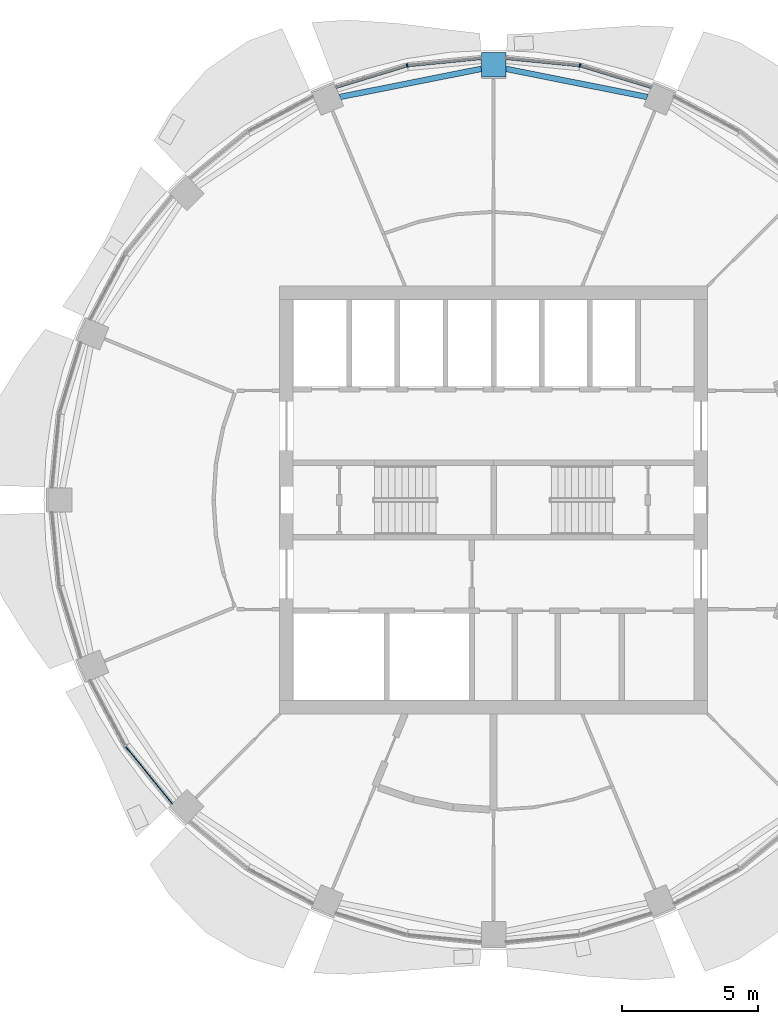
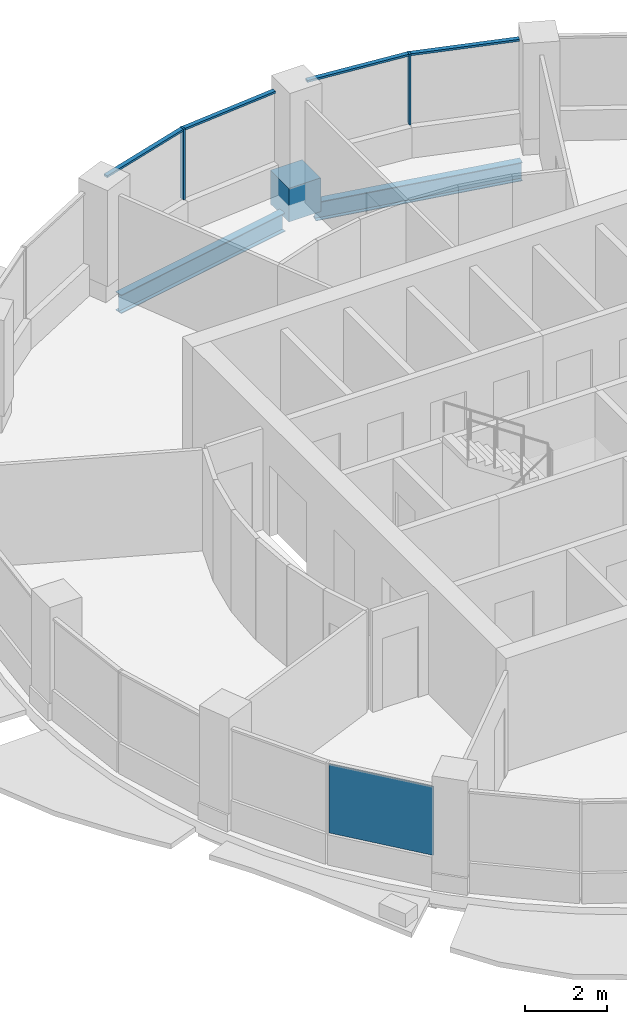
# One storey, part 6 of 15: 7 members, 2 beams, 1 plate, 3 elements without a shape of their own.
"""IFC4 building model written with IfcOpenShell, lengths in metres."""

from ifc_helpers import new_model, si_unit, direction, frame, origin, origin_2d, place, context, subcontext, project, spatial, rectangle, i_section, extrude, material, layer, layer_set, material_profile, profile_set, type_object, element, aggregate, save


model = new_model("IFC4")

# Units and contexts
model_context = context("Model", 3, precision=1e-05, world=origin(), true_north=direction((0.0, 1.0)))
body_context = subcontext(model_context, "Body", "Model", "MODEL_VIEW")
ifc_project = project(units=[si_unit("LENGTHUNIT", "METRE"), si_unit("AREAUNIT", "SQUARE_METRE"), si_unit("VOLUMEUNIT", "CUBIC_METRE"), si_unit("PLANEANGLEUNIT", "RADIAN"), si_unit("MASSUNIT", "GRAM", prefix="KILO")], contexts=[model_context])

# Site, building, storey
site_placement = place(None, origin())
site = spatial("IfcSite", under=ifc_project, at=site_placement, CompositionType="ELEMENT")
building_placement = place(site_placement, origin())
building = spatial("IfcBuilding", under=site, at=building_placement, Name="Polderwave Tower", CompositionType="ELEMENT")
storey_placement = place(building_placement, frame((0.0, 0.0, 207.75)))
storey = spatial("IfcBuildingStorey", under=building, at=storey_placement, Name="L56", CompositionType="ELEMENT", Elevation=207.75)

# Curtain wall, member
ifc_material_1 = material(Name="Aluminium 6063-T6 and glass", Category="aluminium")
curtain_wall_type = type_object("IfcCurtainWallType", Name="Office ribbon glazing wall", PredefinedType="NOTDEFINED", material=ifc_material_1)
curtain_wall_1_placement = place(storey_placement, origin())
curtain_wall_1 = element("IfcCurtainWall", 1, at=curtain_wall_1_placement, inside=storey, type_object=curtain_wall_type, Name="CW3 L56 03", PredefinedType="NOTDEFINED")
ifc_material_2 = material(Name="Aluminium 6063-T6", Category="aluminium")
ifc_material_profile_1 = material_profile(ifc_material_2, rectangle(XDim=0.139892578125, YDim=0.054931640625, at=origin_2d()), Name="AL 55x140")
ifc_profile_set_1 = profile_set([ifc_material_profile_1], Name="Aluminium 6063-T6")
member_type_1 = type_object("IfcMemberType", Name="Office ribbon glazing mullion 55x140", PredefinedType="MULLION", material=ifc_profile_set_1)
member_1_placement = place(storey_placement, frame((3.179931640625, 15.987060546875, 0.89990234375), z_axis=(0.0, 0.0, 1.0), x_axis=(-0.195234110551, -0.980756668128, 0.0)))
member_1 = element("IfcMember", 2, at=member_1_placement, type_object=member_type_1, Name="CW3 mullion 1", PredefinedType="MULLION", context=body_context, shape_type="SweptSolid", body=[
    extrude(rectangle(XDim=0.139892578125, YDim=0.054931640625, at=origin_2d()), origin(), (0.0, 0.0, 1.0), 2.10009765625),
])

curtain_wall_2_placement = place(storey_placement, origin())
curtain_wall_2 = element("IfcCurtainWall", 3, at=curtain_wall_2_placement, inside=storey, type_object=curtain_wall_type, Name="CW3 L56 04", PredefinedType="NOTDEFINED")
member_2_placement = place(storey_placement, frame((-3.179931640625, 15.987060546875, 0.89990234375), z_axis=(0.0, 0.0, 1.0), x_axis=(0.195234110551, -0.980756668128, 0.0)))
member_2 = element("IfcMember", 4, at=member_2_placement, type_object=member_type_1, Name="CW3 mullion 1", PredefinedType="MULLION", context=body_context, shape_type="SweptSolid", body=[
    extrude(rectangle(XDim=0.139892578125, YDim=0.054931640625, at=origin_2d()), origin(), (0.0, 0.0, 1.0), 2.10009765625),
])

# Member
ifc_material_profile_2 = material_profile(ifc_material_2, rectangle(XDim=0.1201171875, YDim=0.06005859375, at=origin_2d()), Name="AL 60x120")
ifc_profile_set_2 = profile_set([ifc_material_profile_2], Name="Aluminium 6063-T6")
member_type_2 = type_object("IfcMemberType", Name="Office ribbon glazing transom 60x120", PredefinedType="USERDEFINED", material=ifc_profile_set_2)
member_3_placement = place(storey_placement, frame((5.804931640625, 15.18994140625, 2.969970703125), z_axis=(-0.956860941533, 0.290546276121, 0.0), x_axis=(-0.290546276121, -0.956860941533, 0.0)))
member_3 = element("IfcMember", 5, at=member_3_placement, type_object=member_type_2, Name="CW3 transom 1", ObjectType="TRANSOM", PredefinedType="USERDEFINED", context=body_context, shape_type="SweptSolid", body=[
    extrude(rectangle(XDim=0.1201171875, YDim=0.06005859375, at=origin_2d()), origin(), (0.0, 0.0, 1.0), 2.7158203125),
])

member_4_placement = place(storey_placement, frame((3.152587890625, 15.98974609375, 2.969970703125), z_axis=(-0.995178584846, 0.09807947932, 0.0), x_axis=(-0.09807947932, -0.995178584846, 0.0)))
member_4 = element("IfcMember", 6, at=member_4_placement, type_object=member_type_2, Name="CW3 transom 2", ObjectType="TRANSOM", PredefinedType="USERDEFINED", context=body_context, shape_type="SweptSolid", body=[
    extrude(rectangle(XDim=0.1201171875, YDim=0.06005859375, at=origin_2d()), origin(), (0.0, 0.0, 1.0), 2.7158203125),
])

aggregate(curtain_wall_1, [member_1, member_3, member_4])

member_5_placement = place(storey_placement, frame((-0.449951171875, 16.256103515625, 2.969970703125), z_axis=(-0.995178584846, -0.09807947932, 0.0), x_axis=(0.09807947932, -0.995178584846, 0.0)))
member_5 = element("IfcMember", 7, at=member_5_placement, type_object=member_type_2, Name="CW3 transom 1", ObjectType="TRANSOM", PredefinedType="USERDEFINED", context=body_context, shape_type="SweptSolid", body=[
    extrude(rectangle(XDim=0.1201171875, YDim=0.06005859375, at=origin_2d()), origin(), (0.0, 0.0, 1.0), 2.7158203125),
])

member_6_placement = place(storey_placement, frame((-3.206298828125, 15.97900390625, 2.969970703125), z_axis=(-0.956860941533, -0.290546276121, 0.0), x_axis=(0.290546276121, -0.956860941533, 0.0)))
member_6 = element("IfcMember", 8, at=member_6_placement, type_object=member_type_2, Name="CW3 transom 2", ObjectType="TRANSOM", PredefinedType="USERDEFINED", context=body_context, shape_type="SweptSolid", body=[
    extrude(rectangle(XDim=0.1201171875, YDim=0.06005859375, at=origin_2d()), origin(), (0.0, 0.0, 1.0), 2.7158203125),
])

aggregate(curtain_wall_2, [member_2, member_5, member_6])

ifc_material_3 = material(Name="Concrete C60/75", Category="concrete")
ifc_material_profile_3 = material_profile(ifc_material_3, rectangle(XDim=0.89990234375, YDim=0.89990234375, at=origin_2d()), Name="RC 900x900")
ifc_profile_set_3 = profile_set([ifc_material_profile_3], Name="Concrete C60/75")
member_type_3 = type_object("IfcMemberType", Name="RC NODE 900x900 C60/75", PredefinedType="POST", material=ifc_profile_set_3)
member_7_placement = place(storey_placement, frame((0.0, 16.005859375, -0.5), z_axis=(0.0, 0.0, 1.0), x_axis=(0.0, 1.0, 0.0)))
element("IfcMember", 9, at=member_7_placement, inside=storey, type_object=member_type_3, Name="Ring column node 05", PredefinedType="POST", context=body_context, shape_type="SweptSolid", body=[
    extrude(rectangle(XDim=0.89990234375, YDim=0.89990234375, at=origin_2d()), origin(), (0.0, 0.0, 1.0), 1.0),
])

# Beams
ifc_material_4 = material(Name="Steel S355", Category="steel")
ifc_material_profile_4 = material_profile(ifc_material_4, i_section(OverallWidth=0.2099609375, OverallDepth=0.550048828125, WebThickness=0.010986328125, FlangeThickness=0.01708984375, at=origin_2d()), Name="IPE 550")
ifc_profile_set_4 = profile_set([ifc_material_profile_4], Name="Steel S355")
beam_type = type_object("IfcBeamType", Name="RING BEAM IPE 550", PredefinedType="BEAM", material=ifc_profile_set_4)
for number, where, z_axis, x_axis, name in (
    (10, (5.65380859375, 14.825439453125, -0.625), (-0.980783670147, 0.195098417144, 0.0), (-0.195098417144, -0.980783670147, 0.0), "ST-RB-L56-03"),
    (11, (-0.449951171875, 15.860595703125, -0.625), (-0.980783670147, -0.195098417144, 0.0), (0.195098417144, -0.980783670147, 0.0), "ST-RB-L56-04"),
):
    element("IfcBeam", number, at=place(storey_placement, frame(where, z_axis=z_axis, x_axis=x_axis)), inside=storey, type_object=beam_type, Name=name, PredefinedType="BEAM", context=body_context, shape_type="SweptSolid", body=[
        extrude(i_section(OverallWidth=0.2099609375, OverallDepth=0.550048828125, WebThickness=0.010986328125, FlangeThickness=0.01708984375, at=origin_2d()), origin(), (0.0, 0.0, 1.0), 5.305908203125),
    ])

# Curtain wall, plate
curtain_wall_3_placement = place(storey_placement, origin())
curtain_wall_3 = element("IfcCurtainWall", 12, at=curtain_wall_3_placement, inside=storey, type_object=curtain_wall_type, Name="CW3 L56 09", PredefinedType="NOTDEFINED")
ifc_material_5 = material(Name="Glass, low-e laminated double glazing", Category="glass")
ifc_layer = layer(ifc_material_5, 0.031982421875)
ifc_layer_set = layer_set([ifc_layer], Name="Office ribbon glazing glass panel 32 mm")
plate_type = type_object("IfcPlateType", Name="Office ribbon glazing glass panel 32 mm", PredefinedType="CURTAIN_PANEL", material=ifc_layer_set)
plate_placement = place(storey_placement, frame((-12.67431640625, -10.126708984375, 0.89990234375), z_axis=(0.0, 0.0, 1.0), x_axis=(0.634428361612, -0.772981664713, 0.0)))
plate = element("IfcPlate", 13, at=plate_placement, type_object=plate_type, Name="CW3 panel 2", PredefinedType="CURTAIN_PANEL", context=body_context, shape_type="SweptSolid", body=[
    extrude(rectangle(XDim=2.715087890625, YDim=0.031982421875, at=origin_2d()), origin(), (0.0, 0.0, 1.0), 2.0400390625),
])
aggregate(curtain_wall_3, [plate])

save(model, "model.ifc")
